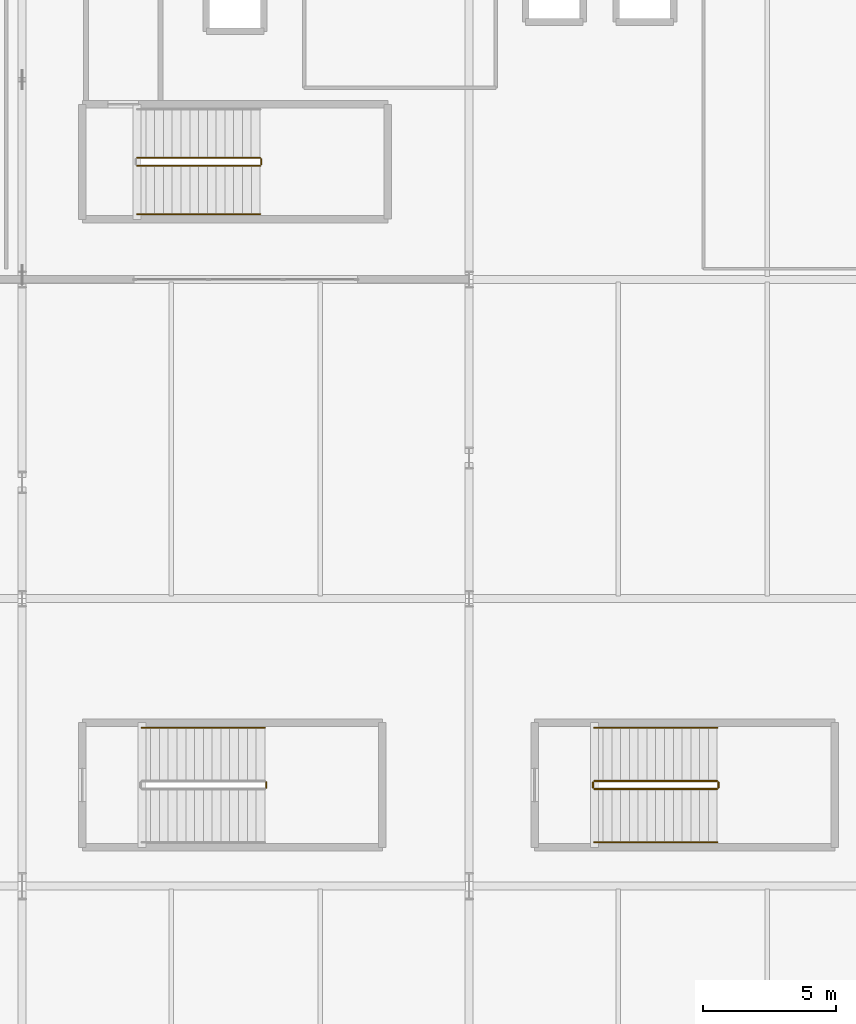
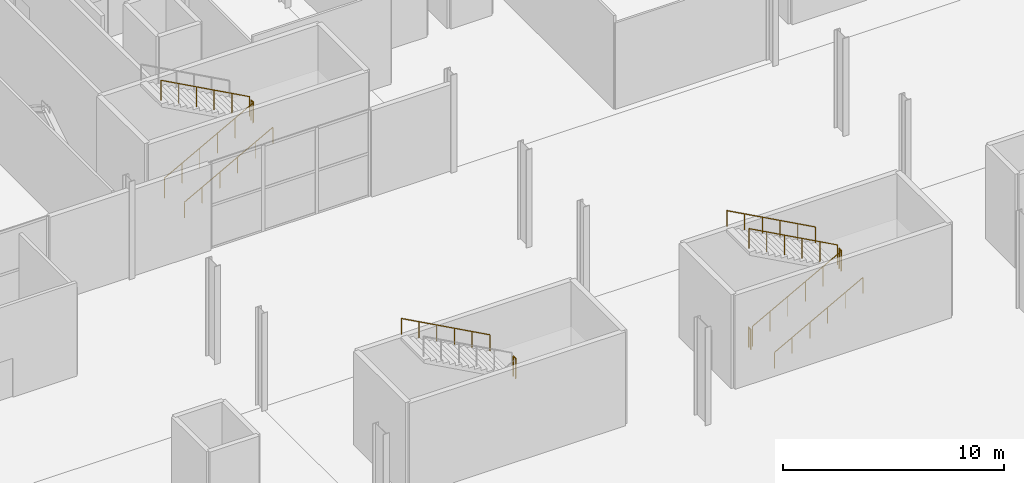
# One storey, part 77 of 87: 12 railings.
"""IFC4 building model written with IfcOpenShell, lengths in metres."""

from ifc_helpers import new_model, si_unit, direction, frame, origin, origin_2d, place, context, subcontext, project, spatial, circle, extrude, material, type_object, element, save


model = new_model("IFC4")

# Units and contexts
model_context = context("Model", 3, precision=1e-05, world=origin(), true_north=direction((0.0, 1.0)))
body_context = subcontext(model_context, "Body", "Model", "MODEL_VIEW")
ifc_project = project(units=[si_unit("LENGTHUNIT", "METRE"), si_unit("AREAUNIT", "SQUARE_METRE"), si_unit("VOLUMEUNIT", "CUBIC_METRE"), si_unit("PLANEANGLEUNIT", "RADIAN"), si_unit("MASSUNIT", "GRAM", prefix="KILO")], contexts=[model_context])

# Site, building, storey
site_placement = place(None, origin())
site = spatial("IfcSite", under=ifc_project, at=site_placement, CompositionType="ELEMENT")
building_placement = place(site_placement, origin())
building = spatial("IfcBuilding", under=site, at=building_placement, Name="Kimbaza Rail Terminus", CompositionType="ELEMENT")
storey_placement = place(building_placement, origin())
storey = spatial("IfcBuildingStorey", under=building, at=storey_placement, Name="L00", CompositionType="ELEMENT", Elevation=0.0)

# Railings
ifc_material_1 = material(Name="Brushed stainless steel handrail", Category="steel")
railing_type_1 = type_object("IfcRailingType", Name="ARC-RL-HND92", PredefinedType="HANDRAIL", material=ifc_material_1)
railing_1_placement = place(storey_placement, frame((76.320068359375, 105.449951171875, 0.179931640625)))
element("IfcRailing", 1, at=railing_1_placement, inside=storey, type_object=railing_type_1, Name="L00 ST-W1 stair handrail 1", PredefinedType="HANDRAIL", context=body_context, shape_type="SweptSolid", body=[
    extrude(circle(Radius=0.02392578125, at=origin_2d()), frame((0.0, 0.0, 0.8759765625), z_axis=(0.877888480945, 0.0, 0.478865132395), x_axis=(0.0, 1.0, 0.0)), (0.0, 0.0, 1.0), 5.262451171875),
    extrude(circle(Radius=0.02099609375, at=origin_2d()), origin(), (0.0, 0.0, 1.0), 0.851806640625),
    extrude(circle(Radius=0.02099609375, at=origin_2d()), frame((0.924072265625, 0.0, 0.50390625)), (0.0, 0.0, 1.0), 0.851806640625),
    extrude(circle(Radius=0.02099609375, at=origin_2d()), frame((1.847900390625, 0.0, 1.008056640625)), (0.0, 0.0, 1.0), 0.851806640625),
    extrude(circle(Radius=0.02099609375, at=origin_2d()), frame((2.77197265625, 0.0, 1.511962890625)), (0.0, 0.0, 1.0), 0.851806640625),
    extrude(circle(Radius=0.02099609375, at=origin_2d()), frame((3.69580078125, 0.0, 2.01611328125)), (0.0, 0.0, 1.0), 0.851806640625),
    extrude(circle(Radius=0.02099609375, at=origin_2d()), frame((4.619873046875, 0.0, 2.52001953125)), (0.0, 0.0, 1.0), 0.851806640625),
])
railing_2_placement = place(storey_placement, frame((81.1201171875, 86.14990234375, 2.8798828125)))
element("IfcRailing", 2, at=railing_2_placement, inside=storey, type_object=railing_type_1, Name="L00 ST-C1 stair handrail 2", PredefinedType="HANDRAIL", context=body_context, shape_type="SweptSolid", body=[
    extrude(circle(Radius=0.02392578125, at=origin_2d()), frame((0.0, 0.0, 0.8759765625), z_axis=(-0.877899118682, 0.0, 0.478845630049), x_axis=(0.0, -1.0, 0.0)), (0.0, 0.0, 1.0), 5.2626953125),
    extrude(circle(Radius=0.02099609375, at=origin_2d()), origin(), (0.0, 0.0, 1.0), 0.851806640625),
    extrude(circle(Radius=0.02099609375, at=origin_2d()), frame((-0.924072265625, 0.0, 0.50390625)), (0.0, 0.0, 1.0), 0.851806640625),
    extrude(circle(Radius=0.02099609375, at=origin_2d()), frame((-1.84814453125, 0.0, 1.008056640625)), (0.0, 0.0, 1.0), 0.851806640625),
    extrude(circle(Radius=0.02099609375, at=origin_2d()), frame((-2.77197265625, 0.0, 1.511962890625)), (0.0, 0.0, 1.0), 0.851806640625),
    extrude(circle(Radius=0.02099609375, at=origin_2d()), frame((-3.696044921875, 0.0, 2.01611328125)), (0.0, 0.0, 1.0), 0.851806640625),
    extrude(circle(Radius=0.02099609375, at=origin_2d()), frame((-4.6201171875, 0.0, 2.52001953125)), (0.0, 0.0, 1.0), 0.851806640625),
])
railing_3_placement = place(storey_placement, frame((93.5, 81.85009765625, 0.179931640625)))
element("IfcRailing", 3, at=railing_3_placement, inside=storey, type_object=railing_type_1, Name="L00 ST-C3 stair handrail 1", PredefinedType="HANDRAIL", context=body_context, shape_type="SweptSolid", body=[
    extrude(circle(Radius=0.02392578125, at=origin_2d()), frame((0.0, 0.0, 0.8759765625), z_axis=(0.877899118682, 0.0, 0.478845630049), x_axis=(0.0, 1.0, 0.0)), (0.0, 0.0, 1.0), 5.2626953125),
    extrude(circle(Radius=0.02099609375, at=origin_2d()), origin(), (0.0, 0.0, 1.0), 0.851806640625),
    extrude(circle(Radius=0.02099609375, at=origin_2d()), frame((0.924072265625, 0.0, 0.50390625)), (0.0, 0.0, 1.0), 0.851806640625),
    extrude(circle(Radius=0.02099609375, at=origin_2d()), frame((1.84814453125, 0.0, 1.008056640625)), (0.0, 0.0, 1.0), 0.851806640625),
    extrude(circle(Radius=0.02099609375, at=origin_2d()), frame((2.77197265625, 0.0, 1.511962890625)), (0.0, 0.0, 1.0), 0.851806640625),
    extrude(circle(Radius=0.02099609375, at=origin_2d()), frame((3.696044921875, 0.0, 2.01611328125)), (0.0, 0.0, 1.0), 0.851806640625),
    extrude(circle(Radius=0.02099609375, at=origin_2d()), frame((4.6201171875, 0.0, 2.52001953125)), (0.0, 0.0, 1.0), 0.851806640625),
])
railing_4_placement = place(storey_placement, frame((98.1201171875, 86.14990234375, 2.8798828125)))
element("IfcRailing", 4, at=railing_4_placement, inside=storey, type_object=railing_type_1, Name="L00 ST-C3 stair handrail 2", PredefinedType="HANDRAIL", context=body_context, shape_type="SweptSolid", body=[
    extrude(circle(Radius=0.02392578125, at=origin_2d()), frame((0.0, 0.0, 0.8759765625), z_axis=(-0.877899118682, 0.0, 0.478845630049), x_axis=(0.0, -1.0, 0.0)), (0.0, 0.0, 1.0), 5.2626953125),
    extrude(circle(Radius=0.02099609375, at=origin_2d()), origin(), (0.0, 0.0, 1.0), 0.851806640625),
    extrude(circle(Radius=0.02099609375, at=origin_2d()), frame((-0.924072265625, 0.0, 0.50390625)), (0.0, 0.0, 1.0), 0.851806640625),
    extrude(circle(Radius=0.02099609375, at=origin_2d()), frame((-1.84814453125, 0.0, 1.008056640625)), (0.0, 0.0, 1.0), 0.851806640625),
    extrude(circle(Radius=0.02099609375, at=origin_2d()), frame((-2.77197265625, 0.0, 1.511962890625)), (0.0, 0.0, 1.0), 0.851806640625),
    extrude(circle(Radius=0.02099609375, at=origin_2d()), frame((-3.696044921875, 0.0, 2.01611328125)), (0.0, 0.0, 1.0), 0.851806640625),
    extrude(circle(Radius=0.02099609375, at=origin_2d()), frame((-4.6201171875, 0.0, 2.52001953125)), (0.0, 0.0, 1.0), 0.851806640625),
])
ifc_material_2 = material(Name="Painted tubular steel stair well guard", Category="steel")
railing_type_2 = type_object("IfcRailingType", Name="ARC-RL-STGRD", PredefinedType="GUARDRAIL", material=ifc_material_2)
railing_5_placement = place(storey_placement, frame((76.320068359375, 107.27001953125, 0.179931640625)))
element("IfcRailing", 5, at=railing_5_placement, inside=storey, type_object=railing_type_2, Name="L00 ST-W1 stair guard 1", PredefinedType="GUARDRAIL", context=body_context, shape_type="SweptSolid", body=[
    extrude(circle(Radius=0.02392578125, at=origin_2d()), frame((0.0, 0.0, 1.09619140625), z_axis=(0.877888480945, 0.0, 0.478865132395), x_axis=(0.0, 1.0, 0.0)), (0.0, 0.0, 1.0), 5.262451171875),
    extrude(circle(Radius=0.02099609375, at=origin_2d()), origin(), (0.0, 0.0, 1.0), 1.072021484375),
    extrude(circle(Radius=0.02099609375, at=origin_2d()), frame((0.924072265625, 0.0, 0.50390625)), (0.0, 0.0, 1.0), 1.072021484375),
    extrude(circle(Radius=0.02099609375, at=origin_2d()), frame((1.847900390625, 0.0, 1.008056640625)), (0.0, 0.0, 1.0), 1.072021484375),
    extrude(circle(Radius=0.02099609375, at=origin_2d()), frame((2.77197265625, 0.0, 1.511962890625)), (0.0, 0.0, 1.0), 1.072021484375),
    extrude(circle(Radius=0.02099609375, at=origin_2d()), frame((3.69580078125, 0.0, 2.01611328125)), (0.0, 0.0, 1.0), 1.072021484375),
    extrude(circle(Radius=0.02099609375, at=origin_2d()), frame((4.619873046875, 0.0, 2.52001953125)), (0.0, 0.0, 1.0), 1.072021484375),
])
railing_6_placement = place(storey_placement, frame((80.989990234375, 107.320068359375, 2.699951171875)))
element("IfcRailing", 6, at=railing_6_placement, inside=storey, type_object=railing_type_2, Name="L00 ST-W1 stair guard 2", PredefinedType="GUARDRAIL", context=body_context, shape_type="SweptSolid", body=[
    extrude(circle(Radius=0.02392578125, at=origin_2d()), frame((0.0, 0.0, 1.09619140625), z_axis=(0.0, 1.0, 0.0), x_axis=(-1.0, 0.0, 0.0)), (0.0, 0.0, 1.0), 0.199951171875),
    extrude(circle(Radius=0.02099609375, at=origin_2d()), origin(), (0.0, 0.0, 1.0), 1.072021484375),
    extrude(circle(Radius=0.02099609375, at=origin_2d()), frame((0.0, 0.199951171875, 0.0)), (0.0, 0.0, 1.0), 1.072021484375),
])
railing_7_placement = place(storey_placement, frame((80.93994140625, 107.570068359375, 2.8798828125)))
element("IfcRailing", 7, at=railing_7_placement, inside=storey, type_object=railing_type_2, Name="L00 ST-W1 stair guard 3", PredefinedType="GUARDRAIL", context=body_context, shape_type="SweptSolid", body=[
    extrude(circle(Radius=0.02392578125, at=origin_2d()), frame((0.0, 0.0, 1.09619140625), z_axis=(-0.877888480945, 0.0, 0.478865132395), x_axis=(0.0, -1.0, 0.0)), (0.0, 0.0, 1.0), 5.262451171875),
    extrude(circle(Radius=0.02099609375, at=origin_2d()), origin(), (0.0, 0.0, 1.0), 1.072021484375),
    extrude(circle(Radius=0.02099609375, at=origin_2d()), frame((-0.924072265625, 0.0, 0.50390625)), (0.0, 0.0, 1.0), 1.072021484375),
    extrude(circle(Radius=0.02099609375, at=origin_2d()), frame((-1.847900390625, 0.0, 1.008056640625)), (0.0, 0.0, 1.0), 1.072021484375),
    extrude(circle(Radius=0.02099609375, at=origin_2d()), frame((-2.77197265625, 0.0, 1.511962890625)), (0.0, 0.0, 1.0), 1.072021484375),
    extrude(circle(Radius=0.02099609375, at=origin_2d()), frame((-3.69580078125, 0.0, 2.01611328125)), (0.0, 0.0, 1.0), 1.072021484375),
    extrude(circle(Radius=0.02099609375, at=origin_2d()), frame((-4.619873046875, 0.0, 2.52001953125)), (0.0, 0.0, 1.0), 1.072021484375),
])
railing_8_placement = place(storey_placement, frame((81.169921875, 83.89990234375, 2.699951171875)))
element("IfcRailing", 8, at=railing_8_placement, inside=storey, type_object=railing_type_2, Name="L00 ST-C1 stair guard 2", PredefinedType="GUARDRAIL", context=body_context, shape_type="SweptSolid", body=[
    extrude(circle(Radius=0.02392578125, at=origin_2d()), frame((0.0, 0.0, 1.09619140625), z_axis=(0.0, 1.0, 0.0), x_axis=(-1.0, 0.0, 0.0)), (0.0, 0.0, 1.0), 0.2001953125),
    extrude(circle(Radius=0.02099609375, at=origin_2d()), origin(), (0.0, 0.0, 1.0), 1.072021484375),
    extrude(circle(Radius=0.02099609375, at=origin_2d()), frame((0.0, 0.2001953125, 0.0)), (0.0, 0.0, 1.0), 1.072021484375),
])
railing_9_placement = place(storey_placement, frame((93.5, 83.85009765625, 0.179931640625)))
element("IfcRailing", 9, at=railing_9_placement, inside=storey, type_object=railing_type_2, Name="L00 ST-C3 stair guard 1", PredefinedType="GUARDRAIL", context=body_context, shape_type="SweptSolid", body=[
    extrude(circle(Radius=0.02392578125, at=origin_2d()), frame((0.0, 0.0, 1.09619140625), z_axis=(0.877899118682, 0.0, 0.478845630049), x_axis=(0.0, 1.0, 0.0)), (0.0, 0.0, 1.0), 5.2626953125),
    extrude(circle(Radius=0.02099609375, at=origin_2d()), origin(), (0.0, 0.0, 1.0), 1.072021484375),
    extrude(circle(Radius=0.02099609375, at=origin_2d()), frame((0.924072265625, 0.0, 0.50390625)), (0.0, 0.0, 1.0), 1.072021484375),
    extrude(circle(Radius=0.02099609375, at=origin_2d()), frame((1.84814453125, 0.0, 1.008056640625)), (0.0, 0.0, 1.0), 1.072021484375),
    extrude(circle(Radius=0.02099609375, at=origin_2d()), frame((2.77197265625, 0.0, 1.511962890625)), (0.0, 0.0, 1.0), 1.072021484375),
    extrude(circle(Radius=0.02099609375, at=origin_2d()), frame((3.696044921875, 0.0, 2.01611328125)), (0.0, 0.0, 1.0), 1.072021484375),
    extrude(circle(Radius=0.02099609375, at=origin_2d()), frame((4.6201171875, 0.0, 2.52001953125)), (0.0, 0.0, 1.0), 1.072021484375),
])
railing_10_placement = place(storey_placement, frame((98.169921875, 83.89990234375, 2.699951171875)))
element("IfcRailing", 10, at=railing_10_placement, inside=storey, type_object=railing_type_2, Name="L00 ST-C3 stair guard 2", PredefinedType="GUARDRAIL", context=body_context, shape_type="SweptSolid", body=[
    extrude(circle(Radius=0.02392578125, at=origin_2d()), frame((0.0, 0.0, 1.09619140625), z_axis=(0.0, 1.0, 0.0), x_axis=(-1.0, 0.0, 0.0)), (0.0, 0.0, 1.0), 0.2001953125),
    extrude(circle(Radius=0.02099609375, at=origin_2d()), origin(), (0.0, 0.0, 1.0), 1.072021484375),
    extrude(circle(Radius=0.02099609375, at=origin_2d()), frame((0.0, 0.2001953125, 0.0)), (0.0, 0.0, 1.0), 1.072021484375),
])
railing_11_placement = place(storey_placement, frame((98.1201171875, 84.14990234375, 2.8798828125)))
element("IfcRailing", 11, at=railing_11_placement, inside=storey, type_object=railing_type_2, Name="L00 ST-C3 stair guard 3", PredefinedType="GUARDRAIL", context=body_context, shape_type="SweptSolid", body=[
    extrude(circle(Radius=0.02392578125, at=origin_2d()), frame((0.0, 0.0, 1.09619140625), z_axis=(-0.877899118682, 0.0, 0.478845630049), x_axis=(0.0, -1.0, 0.0)), (0.0, 0.0, 1.0), 5.2626953125),
    extrude(circle(Radius=0.02099609375, at=origin_2d()), origin(), (0.0, 0.0, 1.0), 1.072021484375),
    extrude(circle(Radius=0.02099609375, at=origin_2d()), frame((-0.924072265625, 0.0, 0.50390625)), (0.0, 0.0, 1.0), 1.072021484375),
    extrude(circle(Radius=0.02099609375, at=origin_2d()), frame((-1.84814453125, 0.0, 1.008056640625)), (0.0, 0.0, 1.0), 1.072021484375),
    extrude(circle(Radius=0.02099609375, at=origin_2d()), frame((-2.77197265625, 0.0, 1.511962890625)), (0.0, 0.0, 1.0), 1.072021484375),
    extrude(circle(Radius=0.02099609375, at=origin_2d()), frame((-3.696044921875, 0.0, 2.01611328125)), (0.0, 0.0, 1.0), 1.072021484375),
    extrude(circle(Radius=0.02099609375, at=origin_2d()), frame((-4.6201171875, 0.0, 2.52001953125)), (0.0, 0.0, 1.0), 1.072021484375),
])
railing_12_placement = place(storey_placement, frame((93.449951171875, 83.89990234375, 0.0)))
element("IfcRailing", 12, at=railing_12_placement, inside=storey, type_object=railing_type_2, Name="L00 ST-C3 stair guard 4", PredefinedType="GUARDRAIL", context=body_context, shape_type="SweptSolid", body=[
    extrude(circle(Radius=0.02392578125, at=origin_2d()), frame((0.0, 0.0, 1.09619140625), z_axis=(0.0, 1.0, 0.0), x_axis=(-1.0, 0.0, 0.0)), (0.0, 0.0, 1.0), 0.2001953125),
    extrude(circle(Radius=0.02099609375, at=origin_2d()), origin(), (0.0, 0.0, 1.0), 1.072021484375),
    extrude(circle(Radius=0.02099609375, at=origin_2d()), frame((0.0, 0.2001953125, 0.0)), (0.0, 0.0, 1.0), 1.072021484375),
])

save(model, "model.ifc")
